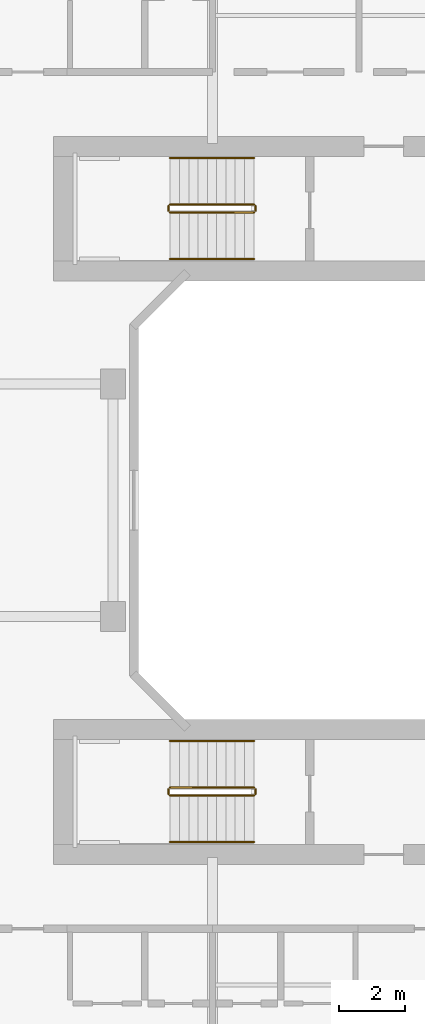
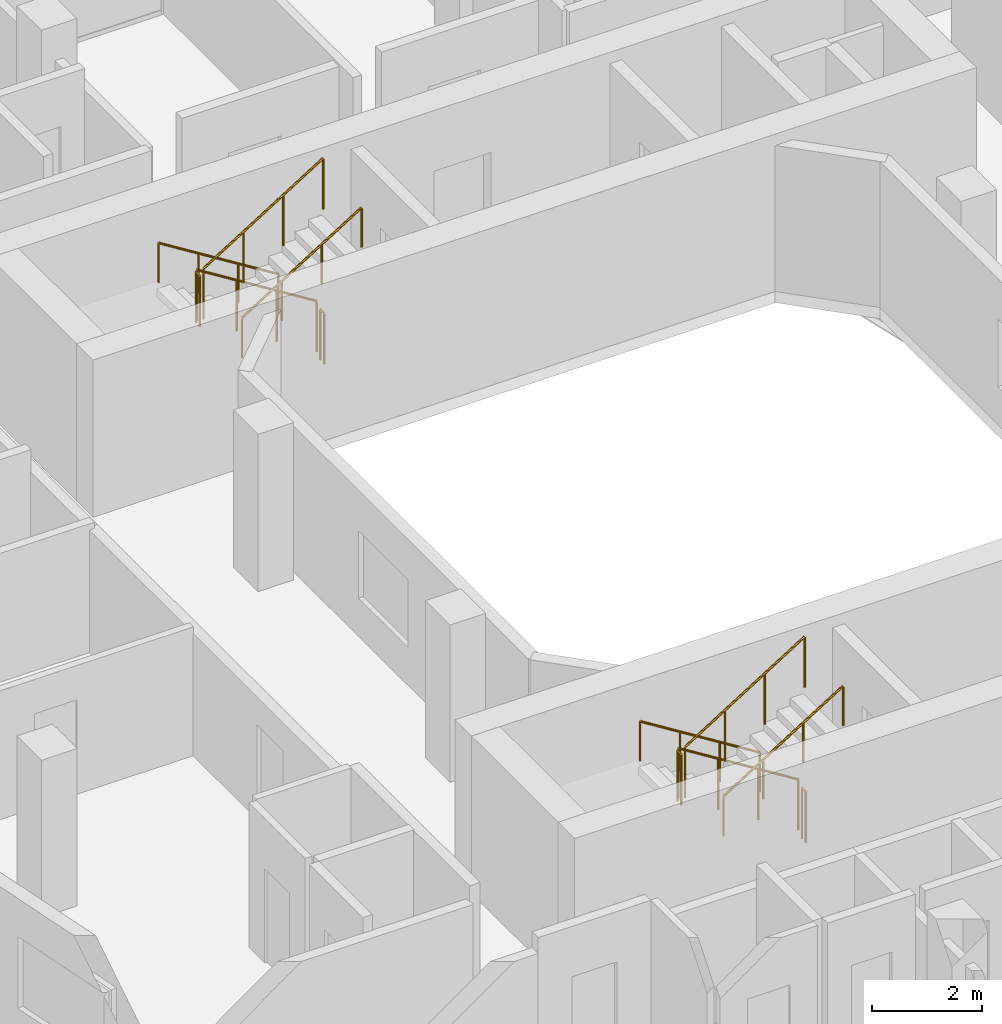
# One storey, part 26 of 26: 12 railings.
"""IFC4 building model written with IfcOpenShell, lengths in metres."""

from ifc_helpers import new_model, si_unit, derived_unit, direction, frame, origin, origin_2d, place, context, subcontext, project, spatial, circle, extrude, material, type_object, element, save


model = new_model("IFC4")

# Units and contexts
model_context = context("Model", 3, precision=1e-05, world=origin(), true_north=direction((0.0, 1.0)))
body_context = subcontext(model_context, "Body", "Model", "MODEL_VIEW")
ifc_project = project(units=[si_unit("LENGTHUNIT", "METRE"), si_unit("AREAUNIT", "SQUARE_METRE"), si_unit("VOLUMEUNIT", "CUBIC_METRE"), si_unit("PLANEANGLEUNIT", "RADIAN"), si_unit("MASSUNIT", "GRAM", prefix="KILO"), derived_unit("THERMALTRANSMITTANCEUNIT", [(si_unit("POWERUNIT", "WATT"), 1), (si_unit("LENGTHUNIT", "METRE"), -2), (si_unit("THERMODYNAMICTEMPERATUREUNIT", "KELVIN"), -1)])], contexts=[model_context])

# Site, building, storey
site_placement = place(None, origin())
site = spatial("IfcSite", under=ifc_project, at=site_placement, CompositionType="ELEMENT")
building_placement = place(site_placement, origin())
building = spatial("IfcBuilding", under=site, at=building_placement, Name="Kivonza Crest Hotel", CompositionType="ELEMENT")
storey_placement = place(building_placement, frame((0.0, 0.0, 52.0)))
storey = spatial("IfcBuildingStorey", under=building, at=storey_placement, Name="L13", CompositionType="ELEMENT", Elevation=52.0)

# Railings
ifc_material_1 = material(Name="Brushed stainless steel handrail", Category="steel")
railing_type_1 = type_object("IfcRailingType", Name="RL-HAND-900", PredefinedType="HANDRAIL", material=ifc_material_1)
railing_1_placement = place(storey_placement, frame((73.840087890625, 35.31005859375, 0.175048828125)))
element("IfcRailing", 1, at=railing_1_placement, inside=storey, type_object=railing_type_1, Name="L13 ST-T2-N stair handrail 1", PredefinedType="HANDRAIL", context=body_context, shape_type="SweptSolid", body=[
    extrude(circle(Radius=0.02392578125, at=origin_2d()), frame((0.0, 0.0, 0.8759765625), z_axis=(-0.848007534815, 0.0, 0.529984170421), x_axis=(0.0, -1.0, 0.0)), (0.0, 0.0, 1.0), 2.9716796875),
    extrude(circle(Radius=0.02099609375, at=origin_2d()), origin(), (0.0, 0.0, 1.0), 0.851806640625),
    extrude(circle(Radius=0.02099609375, at=origin_2d()), frame((-0.840087890625, 0.0, 0.52490234375)), (0.0, 0.0, 1.0), 0.851806640625),
    extrude(circle(Radius=0.02099609375, at=origin_2d()), frame((-1.679931640625, 0.0, 1.050048828125)), (0.0, 0.0, 1.0), 0.851806640625),
    extrude(circle(Radius=0.02099609375, at=origin_2d()), frame((-2.52001953125, 0.0, 1.574951171875)), (0.0, 0.0, 1.0), 0.851806640625),
])
railing_2_placement = place(storey_placement, frame((71.320068359375, 32.27001953125, 1.925048828125)))
element("IfcRailing", 2, at=railing_2_placement, inside=storey, type_object=railing_type_1, Name="L13 ST-T2-N stair handrail 2", PredefinedType="HANDRAIL", context=body_context, shape_type="SweptSolid", body=[
    extrude(circle(Radius=0.02392578125, at=origin_2d()), frame((0.0, 0.0, 0.8759765625), z_axis=(0.848007534815, 0.0, 0.529984170421), x_axis=(0.0, 1.0, 0.0)), (0.0, 0.0, 1.0), 2.9716796875),
    extrude(circle(Radius=0.02099609375, at=origin_2d()), origin(), (0.0, 0.0, 1.0), 0.851806640625),
    extrude(circle(Radius=0.02099609375, at=origin_2d()), frame((0.840087890625, 0.0, 0.52490234375)), (0.0, 0.0, 1.0), 0.851806640625),
    extrude(circle(Radius=0.02099609375, at=origin_2d()), frame((1.679931640625, 0.0, 1.050048828125)), (0.0, 0.0, 1.0), 0.851806640625),
    extrude(circle(Radius=0.02099609375, at=origin_2d()), frame((2.52001953125, 0.0, 1.574951171875)), (0.0, 0.0, 1.0), 0.851806640625),
])
railing_3_placement = place(storey_placement, frame((73.840087890625, 17.75, 0.175048828125)))
element("IfcRailing", 3, at=railing_3_placement, inside=storey, type_object=railing_type_1, Name="L13 ST-T2-S stair handrail 1", PredefinedType="HANDRAIL", context=body_context, shape_type="SweptSolid", body=[
    extrude(circle(Radius=0.02392578125, at=origin_2d()), frame((0.0, 0.0, 0.8759765625), z_axis=(-0.848007534815, 0.0, 0.529984170421), x_axis=(0.0, -1.0, 0.0)), (0.0, 0.0, 1.0), 2.9716796875),
    extrude(circle(Radius=0.02099609375, at=origin_2d()), origin(), (0.0, 0.0, 1.0), 0.851806640625),
    extrude(circle(Radius=0.02099609375, at=origin_2d()), frame((-0.840087890625, 0.0, 0.52490234375)), (0.0, 0.0, 1.0), 0.851806640625),
    extrude(circle(Radius=0.02099609375, at=origin_2d()), frame((-1.679931640625, 0.0, 1.050048828125)), (0.0, 0.0, 1.0), 0.851806640625),
    extrude(circle(Radius=0.02099609375, at=origin_2d()), frame((-2.52001953125, 0.0, 1.574951171875)), (0.0, 0.0, 1.0), 0.851806640625),
])
railing_4_placement = place(storey_placement, frame((71.320068359375, 14.7099609375, 1.925048828125)))
element("IfcRailing", 4, at=railing_4_placement, inside=storey, type_object=railing_type_1, Name="L13 ST-T2-S stair handrail 2", PredefinedType="HANDRAIL", context=body_context, shape_type="SweptSolid", body=[
    extrude(circle(Radius=0.02392578125, at=origin_2d()), frame((0.0, 0.0, 0.8759765625), z_axis=(0.848007534815, 0.0, 0.529984170421), x_axis=(0.0, 1.0, 0.0)), (0.0, 0.0, 1.0), 2.9716796875),
    extrude(circle(Radius=0.02099609375, at=origin_2d()), origin(), (0.0, 0.0, 1.0), 0.851806640625),
    extrude(circle(Radius=0.02099609375, at=origin_2d()), frame((0.840087890625, 0.0, 0.52490234375)), (0.0, 0.0, 1.0), 0.851806640625),
    extrude(circle(Radius=0.02099609375, at=origin_2d()), frame((1.679931640625, 0.0, 1.050048828125)), (0.0, 0.0, 1.0), 0.851806640625),
    extrude(circle(Radius=0.02099609375, at=origin_2d()), frame((2.52001953125, 0.0, 1.574951171875)), (0.0, 0.0, 1.0), 0.851806640625),
])
ifc_material_2 = material(Name="Painted steel balustrade", Category="steel")
railing_type_2 = type_object("IfcRailingType", Name="RL-STAIR-1150", PredefinedType="BALUSTRADE", material=ifc_material_2)
railing_5_placement = place(storey_placement, frame((73.840087890625, 33.909912109375, 0.175048828125)))
element("IfcRailing", 5, at=railing_5_placement, inside=storey, type_object=railing_type_2, Name="L13 ST-T2-N stair guard 1", PredefinedType="BALUSTRADE", context=body_context, shape_type="SweptSolid", body=[
    extrude(circle(Radius=0.02392578125, at=origin_2d()), frame((0.0, 0.0, 1.1259765625), z_axis=(-0.848007534815, 0.0, 0.529984170421), x_axis=(0.0, -1.0, 0.0)), (0.0, 0.0, 1.0), 2.9716796875),
    extrude(circle(Radius=0.02099609375, at=origin_2d()), origin(), (0.0, 0.0, 1.0), 1.101806640625),
    extrude(circle(Radius=0.02099609375, at=origin_2d()), frame((-0.840087890625, 0.0, 0.52490234375)), (0.0, 0.0, 1.0), 1.101806640625),
    extrude(circle(Radius=0.02099609375, at=origin_2d()), frame((-1.679931640625, 0.0, 1.050048828125)), (0.0, 0.0, 1.0), 1.101806640625),
    extrude(circle(Radius=0.02099609375, at=origin_2d()), frame((-2.52001953125, 0.0, 1.574951171875)), (0.0, 0.0, 1.0), 1.101806640625),
])
railing_6_placement = place(storey_placement, frame((71.27001953125, 33.860107421875, 1.75)))
element("IfcRailing", 6, at=railing_6_placement, inside=storey, type_object=railing_type_2, Name="L13 ST-T2-N stair guard 2", PredefinedType="BALUSTRADE", context=body_context, shape_type="SweptSolid", body=[
    extrude(circle(Radius=0.02392578125, at=origin_2d()), frame((0.0, 0.0, 1.1259765625), z_axis=(0.0, -1.0, 0.0), x_axis=(1.0, 0.0, 0.0)), (0.0, 0.0, 1.0), 0.14013671875),
    extrude(circle(Radius=0.02099609375, at=origin_2d()), origin(), (0.0, 0.0, 1.0), 1.101806640625),
    extrude(circle(Radius=0.02099609375, at=origin_2d()), frame((0.0, -0.14013671875, 0.0)), (0.0, 0.0, 1.0), 1.101806640625),
])
railing_7_placement = place(storey_placement, frame((71.320068359375, 33.669921875, 1.925048828125)))
element("IfcRailing", 7, at=railing_7_placement, inside=storey, type_object=railing_type_2, Name="L13 ST-T2-N stair guard 3", PredefinedType="BALUSTRADE", context=body_context, shape_type="SweptSolid", body=[
    extrude(circle(Radius=0.02392578125, at=origin_2d()), frame((0.0, 0.0, 1.1259765625), z_axis=(0.848007534815, 0.0, 0.529984170421), x_axis=(0.0, 1.0, 0.0)), (0.0, 0.0, 1.0), 2.9716796875),
    extrude(circle(Radius=0.02099609375, at=origin_2d()), origin(), (0.0, 0.0, 1.0), 1.101806640625),
    extrude(circle(Radius=0.02099609375, at=origin_2d()), frame((0.840087890625, 0.0, 0.52490234375)), (0.0, 0.0, 1.0), 1.101806640625),
    extrude(circle(Radius=0.02099609375, at=origin_2d()), frame((1.679931640625, 0.0, 1.050048828125)), (0.0, 0.0, 1.0), 1.101806640625),
    extrude(circle(Radius=0.02099609375, at=origin_2d()), frame((2.52001953125, 0.0, 1.574951171875)), (0.0, 0.0, 1.0), 1.101806640625),
])
railing_8_placement = place(storey_placement, frame((73.889892578125, 33.860107421875, 0.0)))
element("IfcRailing", 8, at=railing_8_placement, inside=storey, type_object=railing_type_2, Name="L13 ST-T2-N stair guard 4", PredefinedType="BALUSTRADE", context=body_context, shape_type="SweptSolid", body=[
    extrude(circle(Radius=0.02392578125, at=origin_2d()), frame((0.0, 0.0, 1.1259765625), z_axis=(0.0, -1.0, 0.0), x_axis=(1.0, 0.0, 0.0)), (0.0, 0.0, 1.0), 0.14013671875),
    extrude(circle(Radius=0.02099609375, at=origin_2d()), origin(), (0.0, 0.0, 1.0), 1.101806640625),
    extrude(circle(Radius=0.02099609375, at=origin_2d()), frame((0.0, -0.14013671875, 0.0)), (0.0, 0.0, 1.0), 1.101806640625),
])
railing_9_placement = place(storey_placement, frame((73.840087890625, 16.35009765625, 0.175048828125)))
element("IfcRailing", 9, at=railing_9_placement, inside=storey, type_object=railing_type_2, Name="L13 ST-T2-S stair guard 1", PredefinedType="BALUSTRADE", context=body_context, shape_type="SweptSolid", body=[
    extrude(circle(Radius=0.02392578125, at=origin_2d()), frame((0.0, 0.0, 1.1259765625), z_axis=(-0.848007534815, 0.0, 0.529984170421), x_axis=(0.0, -1.0, 0.0)), (0.0, 0.0, 1.0), 2.9716796875),
    extrude(circle(Radius=0.02099609375, at=origin_2d()), origin(), (0.0, 0.0, 1.0), 1.101806640625),
    extrude(circle(Radius=0.02099609375, at=origin_2d()), frame((-0.840087890625, 0.0, 0.52490234375)), (0.0, 0.0, 1.0), 1.101806640625),
    extrude(circle(Radius=0.02099609375, at=origin_2d()), frame((-1.679931640625, 0.0, 1.050048828125)), (0.0, 0.0, 1.0), 1.101806640625),
    extrude(circle(Radius=0.02099609375, at=origin_2d()), frame((-2.52001953125, 0.0, 1.574951171875)), (0.0, 0.0, 1.0), 1.101806640625),
])
railing_10_placement = place(storey_placement, frame((71.27001953125, 16.300048828125, 1.75)))
element("IfcRailing", 10, at=railing_10_placement, inside=storey, type_object=railing_type_2, Name="L13 ST-T2-S stair guard 2", PredefinedType="BALUSTRADE", context=body_context, shape_type="SweptSolid", body=[
    extrude(circle(Radius=0.02392578125, at=origin_2d()), frame((0.0, 0.0, 1.1259765625), z_axis=(0.0, -1.0, 0.0), x_axis=(1.0, 0.0, 0.0)), (0.0, 0.0, 1.0), 0.14013671875),
    extrude(circle(Radius=0.02099609375, at=origin_2d()), origin(), (0.0, 0.0, 1.0), 1.101806640625),
    extrude(circle(Radius=0.02099609375, at=origin_2d()), frame((0.0, -0.14013671875, 0.0)), (0.0, 0.0, 1.0), 1.101806640625),
])
railing_11_placement = place(storey_placement, frame((71.320068359375, 16.110107421875, 1.925048828125)))
element("IfcRailing", 11, at=railing_11_placement, inside=storey, type_object=railing_type_2, Name="L13 ST-T2-S stair guard 3", PredefinedType="BALUSTRADE", context=body_context, shape_type="SweptSolid", body=[
    extrude(circle(Radius=0.02392578125, at=origin_2d()), frame((0.0, 0.0, 1.1259765625), z_axis=(0.848007534815, 0.0, 0.529984170421), x_axis=(0.0, 1.0, 0.0)), (0.0, 0.0, 1.0), 2.9716796875),
    extrude(circle(Radius=0.02099609375, at=origin_2d()), origin(), (0.0, 0.0, 1.0), 1.101806640625),
    extrude(circle(Radius=0.02099609375, at=origin_2d()), frame((0.840087890625, 0.0, 0.52490234375)), (0.0, 0.0, 1.0), 1.101806640625),
    extrude(circle(Radius=0.02099609375, at=origin_2d()), frame((1.679931640625, 0.0, 1.050048828125)), (0.0, 0.0, 1.0), 1.101806640625),
    extrude(circle(Radius=0.02099609375, at=origin_2d()), frame((2.52001953125, 0.0, 1.574951171875)), (0.0, 0.0, 1.0), 1.101806640625),
])
railing_12_placement = place(storey_placement, frame((73.889892578125, 16.300048828125, 0.0)))
element("IfcRailing", 12, at=railing_12_placement, inside=storey, type_object=railing_type_2, Name="L13 ST-T2-S stair guard 4", PredefinedType="BALUSTRADE", context=body_context, shape_type="SweptSolid", body=[
    extrude(circle(Radius=0.02392578125, at=origin_2d()), frame((0.0, 0.0, 1.1259765625), z_axis=(0.0, -1.0, 0.0), x_axis=(1.0, 0.0, 0.0)), (0.0, 0.0, 1.0), 0.14013671875),
    extrude(circle(Radius=0.02099609375, at=origin_2d()), origin(), (0.0, 0.0, 1.0), 1.101806640625),
    extrude(circle(Radius=0.02099609375, at=origin_2d()), frame((0.0, -0.14013671875, 0.0)), (0.0, 0.0, 1.0), 1.101806640625),
])

save(model, "model.ifc")
